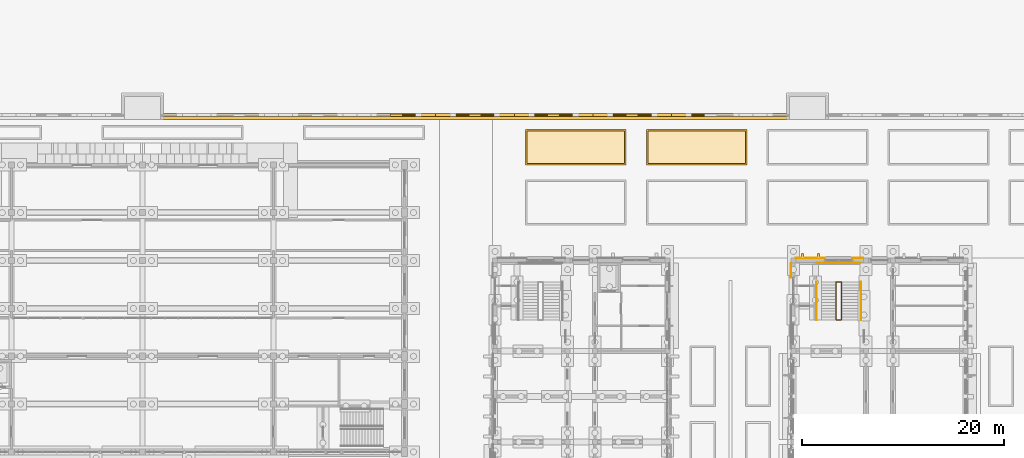
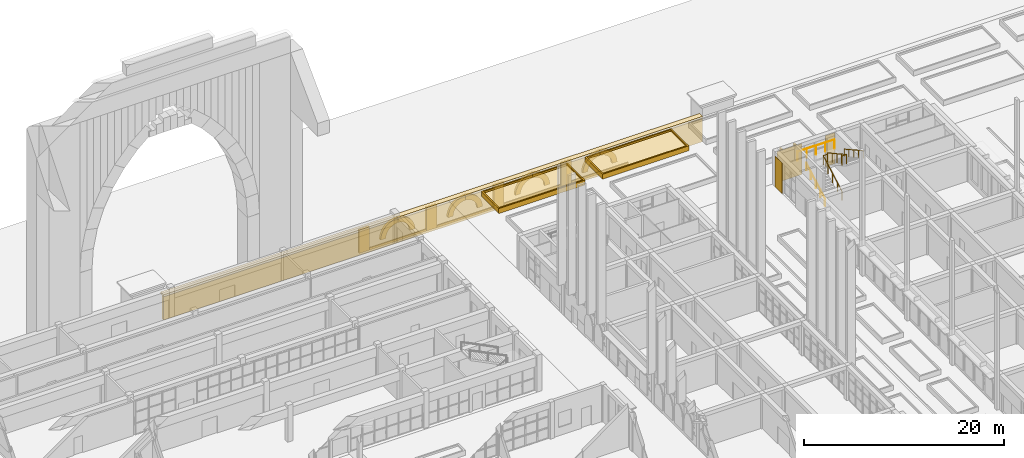
# One storey, part 116 of 161: 27 coverings, 4 railings.
"""IFC4 building model written with IfcOpenShell, lengths in metres."""

from ifc_helpers import new_model, si_unit, direction, frame, origin, origin_2d, place, context, subcontext, project, spatial, polyline, rectangle, circle, outline, extrude, material, layer, layer_set, type_object, element, save


model = new_model("IFC4")

# Units and contexts
model_context = context("Model", 3, precision=1e-05, world=origin(), true_north=direction((0.0, 1.0)))
body_context = subcontext(model_context, "Body", "Model", "MODEL_VIEW")
ifc_project = project(units=[si_unit("LENGTHUNIT", "METRE"), si_unit("AREAUNIT", "SQUARE_METRE"), si_unit("VOLUMEUNIT", "CUBIC_METRE"), si_unit("PLANEANGLEUNIT", "RADIAN"), si_unit("MASSUNIT", "GRAM", prefix="KILO")], contexts=[model_context])

# Site, building, storey
site_placement = place(None, origin())
site = spatial("IfcSite", under=ifc_project, at=site_placement, CompositionType="ELEMENT")
building_placement = place(site_placement, origin())
building = spatial("IfcBuilding", under=site, at=building_placement, Name="Elbe Cascade School", CompositionType="ELEMENT")
storey_placement = place(building_placement, origin())
storey = spatial("IfcBuildingStorey", under=building, at=storey_placement, Name="L00", CompositionType="ELEMENT", Elevation=0.0)

# Railings
ifc_material_1 = material(Name="Steel S355J2H, painted", Category="steel")
railing_type_1 = type_object("IfcRailingType", Name="Bar stair guard 1100", PredefinedType="GUARDRAIL", material=ifc_material_1)
railing_1_placement = place(storey_placement, frame((102.85009765625, 54.10009765625, 0.16064453125)))
element("IfcRailing", 1, at=railing_1_placement, inside=storey, type_object=railing_type_1, Name="Stair guard B0.N", PredefinedType="GUARDRAIL", context=body_context, shape_type="SweptSolid", body=[
    extrude(circle(Radius=0.02392578125, at=origin_2d()), frame((0.0, 0.0, 1.09619140625), z_axis=(0.0, 0.874659101714, 0.484738543742), x_axis=(-1.0, 0.0, 0.0)), (0.0, 0.0, 1.0), 4.310302734375),
    extrude(circle(Radius=0.02392578125, at=origin_2d()), frame((0.0, 3.77001953125, 3.185546875), z_axis=(1.0, 0.0, 0.0), x_axis=(0.0, 1.0, 0.0)), (0.0, 0.0, 1.0), 0.5),
    extrude(circle(Radius=0.02392578125, at=origin_2d()), frame((0.5, 3.77001953125, 3.185546875), z_axis=(0.0, 0.0, 1.0), x_axis=(1.0, 0.0, 0.0)), (0.0, 0.0, 1.0), 0.16064453125),
    extrude(circle(Radius=0.02392578125, at=origin_2d()), frame((0.5, 3.77001953125, 3.34619140625), z_axis=(0.0, -0.874659101714, 0.484738543742), x_axis=(1.0, 0.0, 0.0)), (0.0, 0.0, 1.0), 4.310302734375),
    extrude(circle(Radius=0.02392578125, at=origin_2d()), frame((0.5, 0.0, 5.435546875), z_axis=(-1.0, 0.0, 0.0), x_axis=(0.0, -1.0, 0.0)), (0.0, 0.0, 1.0), 0.5),
    extrude(circle(Radius=0.02099609375, at=origin_2d()), origin(), (0.0, 0.0, 1.0), 1.072021484375),
    extrude(circle(Radius=0.02099609375, at=origin_2d()), frame((0.0, 0.9423828125, 0.5224609375)), (0.0, 0.0, 1.0), 1.072021484375),
    extrude(circle(Radius=0.02099609375, at=origin_2d()), frame((0.0, 1.885009765625, 1.044677734375)), (0.0, 0.0, 1.0), 1.072021484375),
    extrude(circle(Radius=0.02099609375, at=origin_2d()), frame((0.0, 2.82763671875, 1.56689453125)), (0.0, 0.0, 1.0), 1.072021484375),
    extrude(circle(Radius=0.02099609375, at=origin_2d()), frame((0.0, 3.77001953125, 2.08935546875)), (0.0, 0.0, 1.0), 1.072021484375),
    extrude(circle(Radius=0.02099609375, at=origin_2d()), frame((0.5, 3.77001953125, 2.08935546875)), (0.0, 0.0, 1.0), 1.072021484375),
    extrude(circle(Radius=0.02099609375, at=origin_2d()), frame((0.5, 3.77001953125, 2.25)), (0.0, 0.0, 1.0), 1.072021484375),
    extrude(circle(Radius=0.02099609375, at=origin_2d()), frame((0.5, 2.82763671875, 2.7724609375)), (0.0, 0.0, 1.0), 1.072021484375),
    extrude(circle(Radius=0.02099609375, at=origin_2d()), frame((0.5, 1.885009765625, 3.294677734375)), (0.0, 0.0, 1.0), 1.072021484375),
    extrude(circle(Radius=0.02099609375, at=origin_2d()), frame((0.5, 0.9423828125, 3.81689453125)), (0.0, 0.0, 1.0), 1.072021484375),
    extrude(circle(Radius=0.02099609375, at=origin_2d()), frame((0.5, 0.0, 4.33935546875)), (0.0, 0.0, 1.0), 1.072021484375),
    extrude(circle(Radius=0.02099609375, at=origin_2d()), frame((0.0, 0.0, 4.33935546875)), (0.0, 0.0, 1.0), 1.072021484375),
])
railing_2_placement = place(storey_placement, frame((100.9599609375, 59.760009765625, 2.25)))
element("IfcRailing", 2, at=railing_2_placement, inside=storey, type_object=railing_type_1, Name="Stair guard B0.N", PredefinedType="GUARDRAIL", context=body_context, shape_type="SweptSolid", body=[
    extrude(circle(Radius=0.02392578125, at=origin_2d()), frame((0.0, 0.0, 1.09619140625), z_axis=(1.0, 0.0, 0.0), x_axis=(0.0, 1.0, 0.0)), (0.0, 0.0, 1.0), 4.280029296875),
    extrude(circle(Radius=0.02099609375, at=origin_2d()), origin(), (0.0, 0.0, 1.0), 1.072021484375),
    extrude(circle(Radius=0.02099609375, at=origin_2d()), frame((1.070068359375, 0.0, 0.0)), (0.0, 0.0, 1.0), 1.072021484375),
    extrude(circle(Radius=0.02099609375, at=origin_2d()), frame((2.14013671875, 0.0, 0.0)), (0.0, 0.0, 1.0), 1.072021484375),
    extrude(circle(Radius=0.02099609375, at=origin_2d()), frame((3.2099609375, 0.0, 0.0)), (0.0, 0.0, 1.0), 1.072021484375),
    extrude(circle(Radius=0.02099609375, at=origin_2d()), frame((4.280029296875, 0.0, 0.0)), (0.0, 0.0, 1.0), 1.072021484375),
])
ifc_material_2 = material(Name="Steel S355J2H, painted", Category="steel")
railing_type_2 = type_object("IfcRailingType", Name="Bar stair handrail 900", PredefinedType="HANDRAIL", material=ifc_material_2)
railing_3_placement = place(storey_placement, frame((100.89990234375, 54.10009765625, 0.16064453125)))
element("IfcRailing", 3, at=railing_3_placement, inside=storey, type_object=railing_type_2, Name="Stair handrail B0.N", PredefinedType="HANDRAIL", context=body_context, shape_type="SweptSolid", body=[
    extrude(circle(Radius=0.02392578125, at=origin_2d()), frame((0.0, 0.0, 0.8759765625), z_axis=(0.0, 0.874659101714, 0.484738543742), x_axis=(-1.0, 0.0, 0.0)), (0.0, 0.0, 1.0), 4.310302734375),
    extrude(circle(Radius=0.02099609375, at=origin_2d()), origin(), (0.0, 0.0, 1.0), 0.851806640625),
    extrude(circle(Radius=0.02099609375, at=origin_2d()), frame((0.0, 0.9423828125, 0.5224609375)), (0.0, 0.0, 1.0), 0.851806640625),
    extrude(circle(Radius=0.02099609375, at=origin_2d()), frame((0.0, 1.885009765625, 1.044677734375)), (0.0, 0.0, 1.0), 0.851806640625),
    extrude(circle(Radius=0.02099609375, at=origin_2d()), frame((0.0, 2.82763671875, 1.56689453125)), (0.0, 0.0, 1.0), 0.851806640625),
    extrude(circle(Radius=0.02099609375, at=origin_2d()), frame((0.0, 3.77001953125, 2.08935546875)), (0.0, 0.0, 1.0), 0.851806640625),
])
railing_4_placement = place(storey_placement, frame((105.300048828125, 57.8701171875, 2.41064453125)))
element("IfcRailing", 4, at=railing_4_placement, inside=storey, type_object=railing_type_2, Name="Stair handrail B0.N", PredefinedType="HANDRAIL", context=body_context, shape_type="SweptSolid", body=[
    extrude(circle(Radius=0.02392578125, at=origin_2d()), frame((0.0, 0.0, 0.8759765625), z_axis=(0.0, -0.874659101714, 0.484738543742), x_axis=(1.0, 0.0, 0.0)), (0.0, 0.0, 1.0), 4.310302734375),
    extrude(circle(Radius=0.02099609375, at=origin_2d()), origin(), (0.0, 0.0, 1.0), 0.851806640625),
    extrude(circle(Radius=0.02099609375, at=origin_2d()), frame((0.0, -0.9423828125, 0.5224609375)), (0.0, 0.0, 1.0), 0.851806640625),
    extrude(circle(Radius=0.02099609375, at=origin_2d()), frame((0.0, -1.885009765625, 1.044677734375)), (0.0, 0.0, 1.0), 0.851806640625),
    extrude(circle(Radius=0.02099609375, at=origin_2d()), frame((0.0, -2.82763671875, 1.56689453125)), (0.0, 0.0, 1.0), 0.851806640625),
    extrude(circle(Radius=0.02099609375, at=origin_2d()), frame((0.0, -3.77001953125, 2.08935546875)), (0.0, 0.0, 1.0), 0.851806640625),
])

# Coverings
ifc_material_3 = material(Name="Precast concrete C40/50", Category="concrete")
covering_type_1 = type_object("IfcCoveringType", Name="Bars envelope Precast concrete gable fin, 200 wide, 450 deep", PredefinedType="CLADDING", material=ifc_material_3)
for number, where, z_axis, x_axis, name in (
    (5, (99.5, 60.485107421875, 0.0), (0.0, 0.0, 1.0), (1.0, 0.0, 0.0), "Fin CV57 B.L00.n.1"),
    (6, (101.10009765625, 60.485107421875, 0.0), (0.0, 0.0, 1.0), (1.0, 0.0, 0.0), "Fin CV57 B.L00.n.2"),
):
    element("IfcCovering", number, at=place(storey_placement, frame(where, z_axis=z_axis, x_axis=x_axis)), inside=storey, type_object=covering_type_1, Name=name, PredefinedType="CLADDING", context=body_context, shape_type="SweptSolid", body=[
        extrude(rectangle(XDim=0.199951171875, YDim=0.449951171875, at=origin_2d()), origin(), (0.0, 0.0, 1.0), 3.800048828125),
    ])
ifc_material_4 = material(Name="Sandstone - red", Category="masonry")
ifc_layer_1 = layer(ifc_material_4, 0.0400390625)
ifc_layer_set_1 = layer_set([ifc_layer_1], Name="Sandstone - red")
covering_type_2 = type_object("IfcCoveringType", Name="Bars envelope Sandstone cladding, red, 40 mm", PredefinedType="CLADDING", material=ifc_layer_set_1)
covering_1_placement = place(storey_placement, frame((98.360107421875, 59.030029296875, 0.0), z_axis=(0.0, 0.0, 1.0), x_axis=(0.0, 1.0, 0.0)))
element("IfcCovering", 7, at=covering_1_placement, inside=storey, type_object=covering_type_2, Name="Sandstone cladding CV48 B.L00.w.6b.1", PredefinedType="CLADDING", context=body_context, shape_type="SweptSolid", body=[
    extrude(rectangle(XDim=1.43994140625, YDim=0.0400390625, at=origin_2d()), origin(), (0.0, 0.0, 1.0), 3.75),
])
covering_2_placement = place(storey_placement, frame((100.300048828125, 60.239990234375, 0.0), z_axis=(0.0, 0.0, 1.0), x_axis=(1.0, 0.0, 0.0)))
element("IfcCovering", 8, at=covering_2_placement, inside=storey, type_object=covering_type_2, Name="Sandstone cladding CV48 B.L00.n.1a.1", PredefinedType="CLADDING", context=body_context, shape_type="SweptSolid", body=[
    extrude(rectangle(XDim=2.89990234375, YDim=0.0400390625, at=origin_2d()), origin(), (0.0, 0.0, 1.0), 3.800048828125),
])
covering_3_placement = place(storey_placement, frame((105.0, 60.239990234375, 0.0), z_axis=(0.0, 0.0, 1.0), x_axis=(1.0, 0.0, 0.0)))
element("IfcCovering", 9, at=covering_3_placement, inside=storey, type_object=covering_type_2, Name="Sandstone cladding CV48 B.L00.n.1b.1", PredefinedType="CLADDING", context=body_context, shape_type="SweptSolid", body=[
    extrude(rectangle(XDim=1.10009765625, YDim=0.0400390625, at=origin_2d()), origin(), (0.0, 0.0, 1.0), 3.800048828125),
])
ifc_material_5 = material(Name="Sandstone - red", Category="masonry")
ifc_layer_2 = layer(ifc_material_5, 0.14990234375)
ifc_layer_set_2 = layer_set([ifc_layer_2], Name="Sandstone - red")
covering_type_3 = type_object("IfcCoveringType", Name="Plinth base course 150x250", PredefinedType="CLADDING", material=ifc_layer_set_2)
covering_4_placement = place(storey_placement, frame((0.0, 0.0, -3.10009765625)))
element("IfcCovering", 10, at=covering_4_placement, inside=storey, type_object=covering_type_3, Name="Plinth base course north 0.2.4", PredefinedType="CLADDING", context=body_context, shape_type="SweptSolid", body=[
    extrude(outline(polyline([(59.800048828125, 74.300048828125), (66.39990234375, 74.300048828125), (66.39990234375, 74.449951171875), (59.800048828125, 74.449951171875), (59.800048828125, 74.300048828125)])), origin(), (0.0, 0.0, 1.0), 0.25),
])
covering_5_placement = place(storey_placement, frame((0.0, 0.0, -3.10009765625)))
element("IfcCovering", 11, at=covering_5_placement, inside=storey, type_object=covering_type_3, Name="Plinth base course north 0.2.5", PredefinedType="CLADDING", context=body_context, shape_type="SweptSolid", body=[
    extrude(outline(polyline([(67.60009765625, 74.300048828125), (74.199951171875, 74.300048828125), (74.199951171875, 74.449951171875), (67.60009765625, 74.449951171875), (67.60009765625, 74.300048828125)])), origin(), (0.0, 0.0, 1.0), 0.25),
])
covering_6_placement = place(storey_placement, frame((0.0, 0.0, -3.10009765625)))
element("IfcCovering", 12, at=covering_6_placement, inside=storey, type_object=covering_type_3, Name="Plinth base course north 0.2.6", PredefinedType="CLADDING", context=body_context, shape_type="SweptSolid", body=[
    extrude(outline(polyline([(75.39990234375, 74.300048828125), (82.0, 74.300048828125), (82.0, 74.449951171875), (75.39990234375, 74.449951171875), (75.39990234375, 74.300048828125)])), origin(), (0.0, 0.0, 1.0), 0.25),
])
covering_7_placement = place(storey_placement, frame((0.0, 0.0, -3.10009765625)))
element("IfcCovering", 13, at=covering_7_placement, inside=storey, type_object=covering_type_3, Name="Plinth base course north 0.2.7", PredefinedType="CLADDING", context=body_context, shape_type="SweptSolid", body=[
    extrude(outline(polyline([(83.199951171875, 74.300048828125), (89.800048828125, 74.300048828125), (89.800048828125, 74.449951171875), (83.199951171875, 74.449951171875), (83.199951171875, 74.300048828125)])), origin(), (0.0, 0.0, 1.0), 0.25),
])
ifc_material_6 = material(Name="Sandstone - red", Category="masonry")
ifc_layer_3 = layer(ifc_material_6, 0.25)
ifc_layer_set_3 = layer_set([ifc_layer_3], Name="Sandstone - red")
covering_type_4 = type_object("IfcCoveringType", Name="Plinth coping 600x250", PredefinedType="CLADDING", material=ifc_layer_set_3)
covering_8_placement = place(storey_placement, frame((0.0, 0.0, -0.25)))
element("IfcCovering", 14, at=covering_8_placement, inside=storey, type_object=covering_type_4, Name="Plinth coping north 2", PredefinedType="CLADDING", context=body_context, shape_type="SweptSolid", body=[
    extrude(outline(polyline([(35.800048828125, 74.0), (98.199951171875, 74.0), (98.199951171875, 74.60009765625), (35.800048828125, 74.60009765625), (35.800048828125, 74.0)])), origin(), (0.0, 0.0, 1.0), 0.25),
])
ifc_material_7 = material(Name="Sandstone - red", Category="masonry")
ifc_layer_4 = layer(ifc_material_7, 0.300048828125)
ifc_layer_set_4 = layer_set([ifc_layer_4], Name="Sandstone - red")
covering_type_5 = type_object("IfcCoveringType", Name="Plinth facing 300", PredefinedType="CLADDING", material=ifc_layer_set_4)
covering_9_placement = place(storey_placement, frame((0.0, 0.0, -3.10009765625)))
element("IfcCovering", 15, at=covering_9_placement, inside=storey, type_object=covering_type_5, Name="Plinth facing north 2", PredefinedType="CLADDING", context=body_context, shape_type="SweptSolid", body=[
    extrude(outline(polyline([(35.800048828125, 74.0), (98.199951171875, 74.0), (98.199951171875, 74.300048828125), (35.800048828125, 74.300048828125), (35.800048828125, 74.0)])), origin(), (0.0, 0.0, 1.0), 2.85009765625),
])
ifc_material_8 = material(Name="Sandstone - red", Category="masonry")
ifc_layer_5 = layer(ifc_material_8, 0.300048828125)
ifc_layer_set_5 = layer_set([ifc_layer_5], Name="Sandstone - red")
covering_type_6 = type_object("IfcCoveringType", Name="Plinth niche arch band 600x300", PredefinedType="CLADDING", material=ifc_layer_set_5)
covering_10_placement = place(storey_placement, frame((65.10009765625, 74.60009765625, -2.35009765625), z_axis=(0.0, 1.0, 0.0), x_axis=(-1.0, 0.0, 0.0)))
element("IfcCovering", 16, at=covering_10_placement, inside=storey, type_object=covering_type_6, Name="Plinth niche arch band north 0.2.4a", PredefinedType="CLADDING", context=body_context, shape_type="SweptSolid", body=[
    extrude(outline(polyline([(0.0, 0.0), (0.60009765625, 0.0), (0.6171875, 0.221923828125), (0.66796875, 0.438720703125), (0.75146484375, 0.64501953125), (0.865234375, 0.83642578125), (1.007080078125, 1.0078125), (1.173583984375, 1.15576171875), (1.36083984375, 1.2763671875), (1.564208984375, 1.366943359375), (1.77880859375, 1.42529296875), (2.0, 1.4501953125), (2.0, 2.05029296875), (1.68505859375, 2.01806640625), (1.378662109375, 1.9375), (1.08837890625, 1.81103515625), (0.82080078125, 1.64111328125), (0.5830078125, 1.43212890625), (0.3798828125, 1.189208984375), (0.216796875, 0.91748046875), (0.097412109375, 0.624267578125), (0.024658203125, 0.31591796875), (0.0, 0.0)])), origin(), (0.0, 0.0, -1.0), 0.300048828125),
])
covering_11_placement = place(storey_placement, frame((61.12451171875, 74.60009765625, -2.0341796875), z_axis=(0.0, 1.0, 0.0), x_axis=(0.229640615433, 0.0, 0.973275494268)))
element("IfcCovering", 17, at=covering_11_placement, inside=storey, type_object=covering_type_6, Name="Plinth niche arch band north 0.2.4b", PredefinedType="CLADDING", context=body_context, shape_type="SweptSolid", body=[
    extrude(outline(polyline([(0.0, 0.0), (0.31681637027835047, 0.0), (0.6296088823787412, 0.04886067811575373), (0.9315267427864806, 0.14518832098545423), (1.2146004998268738, 0.2871006253983999), (1.4726628589921735, 0.4707850101886869), (1.699434396567878, 0.6919536620154754), (1.8891803432917578, 0.9454377254653902), (2.037954729394572, 1.2251445961231031), (2.1416994559003246, 1.5245064373983495), (1.5576391129042635, 1.662313232499558), (1.4826077413227772, 1.4527516467981305), (1.3764806454459984, 1.2570489300335477), (1.2416232623821883, 1.0799146970257483), (1.081295428986102, 0.9255966880936953), (0.8990640204772993, 0.7975176660871937), (0.6996279279093016, 0.6985824547516934), (0.4872108101606949, 0.6318080070394001), (0.26725112189532263, 0.5979178949791348), (0.04458659872137888, 0.5982791165847868), (-0.17533094702333402, 0.6326087149319284), (-0.3130816775211652, 0.04878598802333507), (0.0, 0.0)])), origin(), (0.0, 0.0, -1.0), 0.300048828125),
])
covering_12_placement = place(storey_placement, frame((72.89990234375, 74.60009765625, -2.35009765625), z_axis=(0.0, 1.0, 0.0), x_axis=(-1.0, 0.0, 0.0)))
element("IfcCovering", 18, at=covering_12_placement, inside=storey, type_object=covering_type_6, Name="Plinth niche arch band north 0.2.5a", PredefinedType="CLADDING", context=body_context, shape_type="SweptSolid", body=[
    extrude(outline(polyline([(0.0, 0.0), (0.599853515625, 0.0), (0.616943359375, 0.221923828125), (0.667724609375, 0.438720703125), (0.751220703125, 0.64501953125), (0.864990234375, 0.83642578125), (1.007080078125, 1.0078125), (1.173583984375, 1.15576171875), (1.360595703125, 1.2763671875), (1.56396484375, 1.366943359375), (1.77880859375, 1.42529296875), (2.0, 1.4501953125), (2.0, 2.05029296875), (1.684814453125, 2.01806640625), (1.37841796875, 1.9375), (1.088134765625, 1.81103515625), (0.82080078125, 1.64111328125), (0.582763671875, 1.43212890625), (0.379638671875, 1.189208984375), (0.216552734375, 0.91748046875), (0.09716796875, 0.624267578125), (0.0244140625, 0.31591796875), (0.0, 0.0)])), origin(), (0.0, 0.0, -1.0), 0.300048828125),
])
covering_13_placement = place(storey_placement, frame((68.924560546875, 74.60009765625, -2.0341796875), z_axis=(0.0, 1.0, 0.0), x_axis=(0.229640615433, 0.0, 0.973275494268)))
element("IfcCovering", 19, at=covering_13_placement, inside=storey, type_object=covering_type_6, Name="Plinth niche arch band north 0.2.5b", PredefinedType="CLADDING", context=body_context, shape_type="SweptSolid", body=[
    extrude(outline(polyline([(0.0, 0.0), (0.31681637027835047, 0.0), (0.6296088823787412, 0.04886067811575373), (0.9315267427864806, 0.14518832098545423), (1.2146004998268738, 0.2871006253983999), (1.4726067943887962, 0.47054739410121904), (1.699434396567878, 0.6919536620154754), (1.8891803432917578, 0.9454377254653902), (2.037954729394572, 1.2251445961231031), (2.1416433912969475, 1.5242688213108815), (1.5575830483008861, 1.66207561641209), (1.4825516767193998, 1.4525140307106628), (1.3764806454459984, 1.2570489300335477), (1.2416232623821883, 1.0799146970257483), (1.0812393643827247, 0.9253590720062276), (0.899007955873922, 0.7972800499997257), (0.6996279279093016, 0.6985824547516934), (0.4872108101606949, 0.6318080070394001), (0.26725112189532263, 0.5979178949791348), (0.04458659872137888, 0.5982791165847868), (-0.17533094702333402, 0.6326087149319284), (-0.3131377421245425, 0.04854837193586718), (0.0, 0.0)])), origin(), (0.0, 0.0, -1.0), 0.300048828125),
])
covering_14_placement = place(storey_placement, frame((80.699951171875, 74.60009765625, -2.35009765625), z_axis=(0.0, 1.0, 0.0), x_axis=(-1.0, 0.0, 0.0)))
element("IfcCovering", 20, at=covering_14_placement, inside=storey, type_object=covering_type_6, Name="Plinth niche arch band north 0.2.6a", PredefinedType="CLADDING", context=body_context, shape_type="SweptSolid", body=[
    extrude(outline(polyline([(0.0, 0.0), (0.599853515625, 0.0), (0.616943359375, 0.221923828125), (0.66796875, 0.438720703125), (0.751220703125, 0.64501953125), (0.865234375, 0.83642578125), (1.007080078125, 1.0078125), (1.173583984375, 1.15576171875), (1.360595703125, 1.2763671875), (1.56396484375, 1.366943359375), (1.77880859375, 1.42529296875), (2.0, 1.4501953125), (2.0, 2.05029296875), (1.684814453125, 2.01806640625), (1.37841796875, 1.9375), (1.088134765625, 1.81103515625), (0.82080078125, 1.64111328125), (0.582763671875, 1.43212890625), (0.379638671875, 1.189208984375), (0.216552734375, 0.91748046875), (0.09716796875, 0.624267578125), (0.0244140625, 0.31591796875), (0.0, 0.0)])), origin(), (0.0, 0.0, -1.0), 0.300048828125),
])
covering_15_placement = place(storey_placement, frame((76.724609375, 74.60009765625, -2.0341796875), z_axis=(0.0, 1.0, 0.0), x_axis=(0.229640615433, 0.0, 0.973275494268)))
element("IfcCovering", 21, at=covering_15_placement, inside=storey, type_object=covering_type_6, Name="Plinth niche arch band north 0.2.6b", PredefinedType="CLADDING", context=body_context, shape_type="SweptSolid", body=[
    extrude(outline(polyline([(0.0, 0.0), (0.31681637027835047, 0.0), (0.6296088823787412, 0.04886067811575373), (0.9315267427864806, 0.14518832098545423), (1.2145444352234966, 0.28686300931093206), (1.4726067943887962, 0.47054739410121904), (1.6993783319645008, 0.6917160459280074), (1.8891803432917578, 0.9454377254653902), (2.037954729394572, 1.2251445961231031), (2.1416433912969475, 1.5242688213108815), (1.5575830483008861, 1.66207561641209), (1.4825516767193998, 1.4525140307106628), (1.3764245808426212, 1.2568113139460797), (1.2416232623821883, 1.0799146970257483), (1.0812393643827247, 0.9253590720062276), (0.899007955873922, 0.7972800499997257), (0.6996279279093016, 0.6985824547516934), (0.4872108101606949, 0.6318080070394001), (0.26725112189532263, 0.5979178949791348), (0.04458659872137888, 0.5982791165847868), (-0.17533094702333402, 0.6326087149319284), (-0.3131377421245425, 0.04854837193586718), (0.0, 0.0)])), origin(), (0.0, 0.0, -1.0), 0.300048828125),
])
covering_16_placement = place(storey_placement, frame((88.5, 74.60009765625, -2.35009765625), z_axis=(0.0, 1.0, 0.0), x_axis=(-1.0, 0.0, 0.0)))
element("IfcCovering", 22, at=covering_16_placement, inside=storey, type_object=covering_type_6, Name="Plinth niche arch band north 0.2.7a", PredefinedType="CLADDING", context=body_context, shape_type="SweptSolid", body=[
    extrude(outline(polyline([(0.0, 0.0), (0.60009765625, 0.0), (0.6171875, 0.221923828125), (0.66796875, 0.438720703125), (0.751220703125, 0.64501953125), (0.865234375, 0.83642578125), (1.007080078125, 1.0078125), (1.173583984375, 1.15576171875), (1.360595703125, 1.2763671875), (1.56396484375, 1.366943359375), (1.77880859375, 1.42529296875), (2.0, 1.4501953125), (2.0, 2.05029296875), (1.684814453125, 2.01806640625), (1.37841796875, 1.9375), (1.088134765625, 1.81103515625), (0.82080078125, 1.64111328125), (0.582763671875, 1.43212890625), (0.3798828125, 1.189208984375), (0.216796875, 0.91748046875), (0.097412109375, 0.624267578125), (0.0244140625, 0.31591796875), (0.0, 0.0)])), origin(), (0.0, 0.0, -1.0), 0.300048828125),
])
covering_17_placement = place(storey_placement, frame((84.5244140625, 74.60009765625, -2.0341796875), z_axis=(0.0, 1.0, 0.0), x_axis=(0.230370389833, 0.0, 0.973103017922)))
element("IfcCovering", 23, at=covering_17_placement, inside=storey, type_object=covering_type_6, Name="Plinth niche arch band north 0.2.7b", PredefinedType="CLADDING", context=body_context, shape_type="SweptSolid", body=[
    extrude(outline(polyline([(0.0, 0.0), (0.31687252397341076, 0.0), (0.6297015877312577, 0.04862610780633542), (0.9316915973394285, 0.14472732169500946), (1.2148154490930958, 0.2861897411309222), (1.473015476785429, 0.46968055870342257), (1.6999528003548228, 0.6906790971069348), (1.8898887761347143, 0.9440208027650488), (2.038872866748509, 1.2236160319757423), (2.1428420492777027, 1.522899993079024), (1.558885208933074, 1.6611447240869763), (1.4836967125911875, 1.4516394617641843), (1.37742289317322, 1.2560163825158634), (1.2424327187641548, 1.0789833260459185), (1.0819892105939604, 0.9247855869954477), (0.8996618095377079, 0.7968432525266855), (0.7002078263653932, 0.6982951959470896), (0.4876844528052212, 0.6314424801900893), (0.2677556556673356, 0.5979548948134422), (0.04509146597014914, 0.5984830877928479), (-0.17480027489389646, 0.6329775880622152), (-0.3130450059018489, 0.0490207477175865), (0.0, 0.0)])), origin(), (0.0, 0.0, -1.0), 0.300048828125),
])
ifc_material_9 = material(Name="Sandstone - red", Category="masonry")
ifc_layer_6 = layer(ifc_material_9, 0.25)
ifc_layer_set_6 = layer_set([ifc_layer_6], Name="Sandstone - red")
covering_type_7 = type_object("IfcCoveringType", Name="Plinth pilaster 1200x250", PredefinedType="CLADDING", material=ifc_layer_set_6)
covering_18_placement = place(storey_placement, frame((0.0, 0.0, -3.10009765625)))
element("IfcCovering", 24, at=covering_18_placement, inside=storey, type_object=covering_type_7, Name="Plinth pilaster north 0.2.3", PredefinedType="CLADDING", context=body_context, shape_type="SweptSolid", body=[
    extrude(outline(polyline([(58.60009765625, 74.300048828125), (59.800048828125, 74.300048828125), (59.800048828125, 74.550048828125), (58.60009765625, 74.550048828125), (58.60009765625, 74.300048828125)])), origin(), (0.0, 0.0, 1.0), 2.85009765625),
])
covering_19_placement = place(storey_placement, frame((0.0, 0.0, -3.10009765625)))
element("IfcCovering", 25, at=covering_19_placement, inside=storey, type_object=covering_type_7, Name="Plinth pilaster north 0.2.4", PredefinedType="CLADDING", context=body_context, shape_type="SweptSolid", body=[
    extrude(outline(polyline([(66.39990234375, 74.300048828125), (67.60009765625, 74.300048828125), (67.60009765625, 74.550048828125), (66.39990234375, 74.550048828125), (66.39990234375, 74.300048828125)])), origin(), (0.0, 0.0, 1.0), 2.85009765625),
])
covering_20_placement = place(storey_placement, frame((0.0, 0.0, -3.10009765625)))
element("IfcCovering", 26, at=covering_20_placement, inside=storey, type_object=covering_type_7, Name="Plinth pilaster north 0.2.5", PredefinedType="CLADDING", context=body_context, shape_type="SweptSolid", body=[
    extrude(outline(polyline([(74.199951171875, 74.300048828125), (75.39990234375, 74.300048828125), (75.39990234375, 74.550048828125), (74.199951171875, 74.550048828125), (74.199951171875, 74.300048828125)])), origin(), (0.0, 0.0, 1.0), 2.85009765625),
])
covering_21_placement = place(storey_placement, frame((0.0, 0.0, -3.10009765625)))
element("IfcCovering", 27, at=covering_21_placement, inside=storey, type_object=covering_type_7, Name="Plinth pilaster north 0.2.6", PredefinedType="CLADDING", context=body_context, shape_type="SweptSolid", body=[
    extrude(outline(polyline([(82.0, 74.300048828125), (83.199951171875, 74.300048828125), (83.199951171875, 74.550048828125), (82.0, 74.550048828125), (82.0, 74.300048828125)])), origin(), (0.0, 0.0, 1.0), 2.85009765625),
])
ifc_material_10 = material(Name="Planting - soil and shrubs", Category="soil")
ifc_layer_7 = layer(ifc_material_10, 0.39990234375)
ifc_layer_set_7 = layer_set([ifc_layer_7], Name="Planting - soil and shrubs")
covering_type_8 = type_object("IfcCoveringType", Name="Site planting bed 400", PredefinedType="USERDEFINED", material=ifc_layer_set_7)
covering_22_placement = place(storey_placement, origin())
element("IfcCovering", 28, at=covering_22_placement, inside=storey, type_object=covering_type_8, Name="Deck planting bed north b.1", ObjectType="PLANTING BED", PredefinedType="USERDEFINED", context=body_context, shape_type="SweptSolid", body=[
    extrude(outline(polyline([(72.14990234375, 69.64990234375), (81.85009765625, 69.64990234375), (81.85009765625, 72.85009765625), (72.14990234375, 72.85009765625), (72.14990234375, 69.64990234375)])), origin(), (0.0, 0.0, 1.0), 0.39990234375),
])
covering_23_placement = place(storey_placement, origin())
element("IfcCovering", 29, at=covering_23_placement, inside=storey, type_object=covering_type_8, Name="Deck planting bed north b.2", ObjectType="PLANTING BED", PredefinedType="USERDEFINED", context=body_context, shape_type="SweptSolid", body=[
    extrude(outline(polyline([(84.14990234375, 69.64990234375), (93.85009765625, 69.64990234375), (93.85009765625, 72.85009765625), (84.14990234375, 72.85009765625), (84.14990234375, 69.64990234375)])), origin(), (0.0, 0.0, 1.0), 0.39990234375),
])
ifc_material_11 = material(Name="Concrete C30/37 precast kerb", Category="concrete")
ifc_layer_8 = layer(ifc_material_11, 0.14990234375)
ifc_layer_set_8 = layer_set([ifc_layer_8], Name="Concrete C30/37 precast kerb")
covering_type_9 = type_object("IfcCoveringType", Name="Site planting bed kerb 150x600", PredefinedType="CLADDING", material=ifc_layer_set_8)
covering_24_placement = place(storey_placement, origin())
element("IfcCovering", 30, at=covering_24_placement, inside=storey, type_object=covering_type_9, Name="Deck planting bed kerb north b.1", PredefinedType="CLADDING", context=body_context, shape_type="SweptSolid", body=[
    extrude(outline(polyline([(72.0, 69.5), (82.0, 69.5), (82.0, 73.0), (72.0, 73.0), (72.0, 69.5)]), holes=[polyline([(72.14990234375, 69.64990234375), (81.85009765625, 69.64990234375), (81.85009765625, 72.85009765625), (72.14990234375, 72.85009765625), (72.14990234375, 69.64990234375)])]), origin(), (0.0, 0.0, 1.0), 0.60009765625),
])
covering_25_placement = place(storey_placement, origin())
element("IfcCovering", 31, at=covering_25_placement, inside=storey, type_object=covering_type_9, Name="Deck planting bed kerb north b.2", PredefinedType="CLADDING", context=body_context, shape_type="SweptSolid", body=[
    extrude(outline(polyline([(84.0, 69.5), (94.0, 69.5), (94.0, 73.0), (84.0, 73.0), (84.0, 69.5)]), holes=[polyline([(84.14990234375, 69.64990234375), (93.85009765625, 69.64990234375), (93.85009765625, 72.85009765625), (84.14990234375, 72.85009765625), (84.14990234375, 69.64990234375)])]), origin(), (0.0, 0.0, 1.0), 0.60009765625),
])

save(model, "model.ifc")
